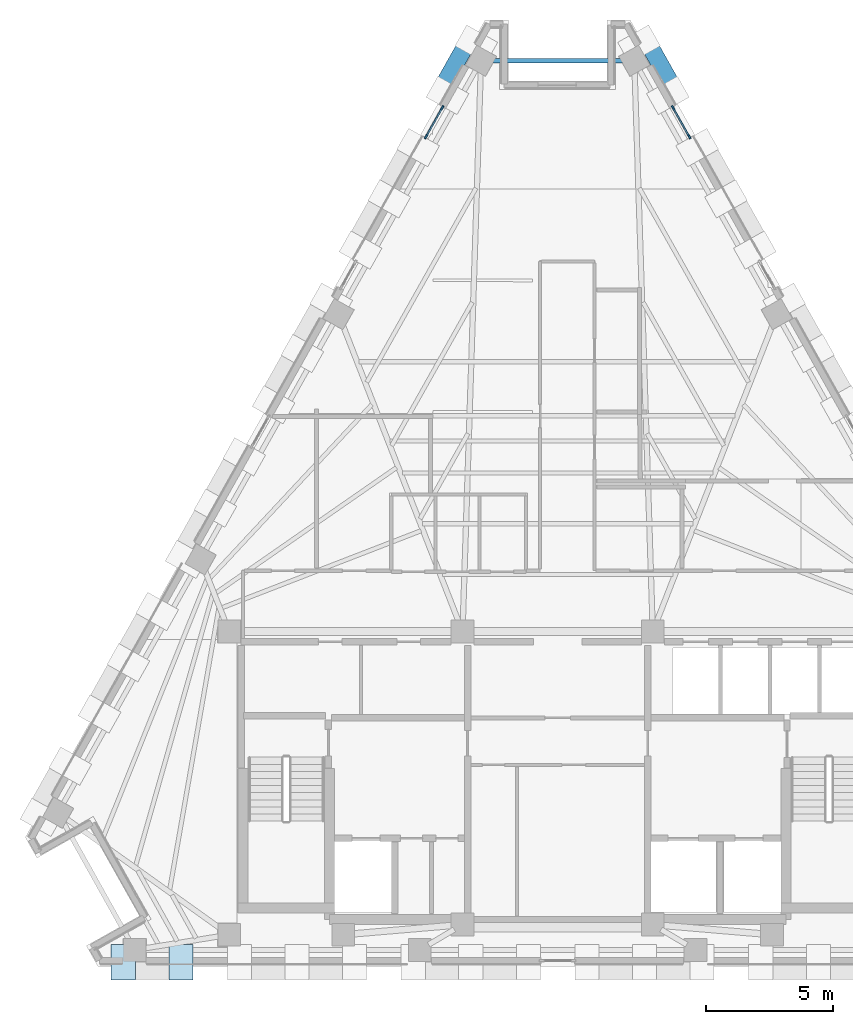
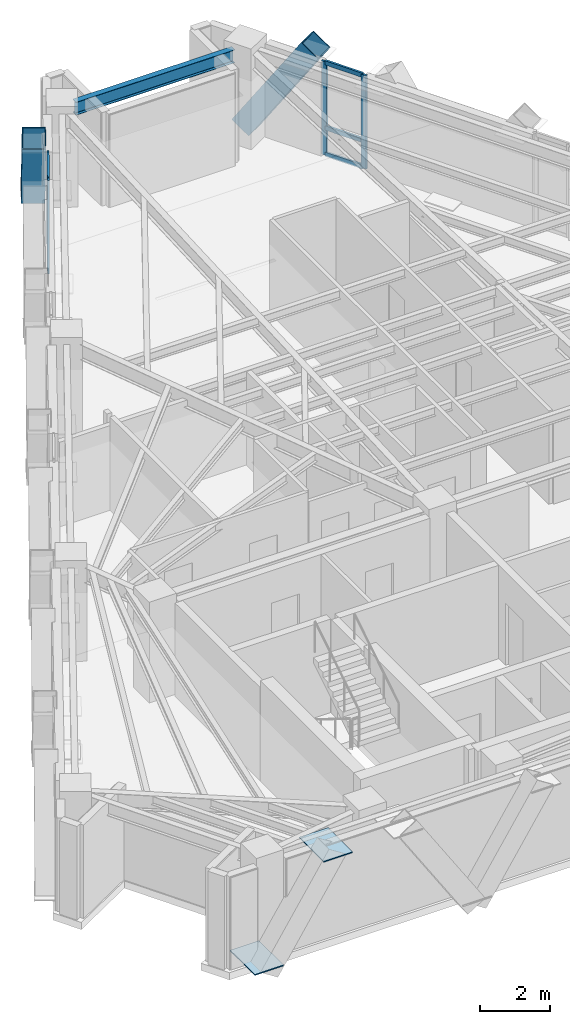
# One storey, part 5 of 12: 12 members, 2 plates, 1 beam, 2 elements without a shape of their own.
"""IFC4 building model written with IfcOpenShell, lengths in metres."""

from ifc_helpers import new_model, si_unit, direction, frame, origin, origin_2d, place, context, subcontext, project, spatial, rectangle, hollow_rectangle, i_section, extrude, material, layer, layer_set, material_profile, profile_set, type_object, element, aggregate, save


model = new_model("IFC4")

# Units and contexts
model_context = context("Model", 3, precision=1e-05, world=origin(), true_north=direction((0.0, 1.0)))
body_context = subcontext(model_context, "Body", "Model", "MODEL_VIEW")
ifc_project = project(units=[si_unit("LENGTHUNIT", "METRE"), si_unit("AREAUNIT", "SQUARE_METRE"), si_unit("VOLUMEUNIT", "CUBIC_METRE"), si_unit("PLANEANGLEUNIT", "RADIAN"), si_unit("MASSUNIT", "GRAM", prefix="KILO")], contexts=[model_context])

# Site, building, storey
site_placement = place(None, origin())
site = spatial("IfcSite", under=ifc_project, at=site_placement, CompositionType="ELEMENT")
building_placement = place(site_placement, origin())
building = spatial("IfcBuilding", under=site, at=building_placement, Name="Quenlor Broadcast Tower", CompositionType="ELEMENT")
storey_placement = place(building_placement, frame((0.0, 0.0, 221.89990234375)))
storey = spatial("IfcBuildingStorey", under=building, at=storey_placement, Name="L61", CompositionType="ELEMENT", Elevation=221.89990234375)

# Curtain wall, members
ifc_material_1 = material(Name="Architectural Terracotta and Low-E Glazing", Category="masonry")
curtain_wall_type = type_object("IfcCurtainWallType", Name="Unitised Terracotta Curtain Wall System Z4", PredefinedType="NOTDEFINED", material=ifc_material_1)
curtain_wall_1_placement = place(storey_placement, origin())
curtain_wall_1 = element("IfcCurtainWall", 1, at=curtain_wall_1_placement, inside=storey, type_object=curtain_wall_type, Name="L61 Curtain Wall CW4 (L61-NEA-G1)", PredefinedType="NOTDEFINED")
ifc_material_2 = material(Name="Aluminium 6063-T6", Category="aluminium")
ifc_material_profile_1 = material_profile(ifc_material_2, rectangle(XDim=0.068115234375, YDim=0.179931640625, at=origin_2d()))
ifc_profile_set_1 = profile_set([ifc_material_profile_1], Name="Aluminium 6063-T6 MULL68x180")
member_type_1 = type_object("IfcMemberType", Name="CW4 Aluminium Mullion MULL_CW4", PredefinedType="MULLION", material=ifc_profile_set_1)
member_1_placement = place(storey_placement, frame((4.550048828125, 15.85205078125, 0.0), z_axis=(0.0, 0.0, 1.0), x_axis=(0.871560008943, 0.490288844266, 0.0)))
member_1 = element("IfcMember", 2, at=member_1_placement, type_object=member_type_1, Name="CW4 mullion 1", PredefinedType="MULLION", context=body_context, shape_type="SweptSolid", body=[
    extrude(rectangle(XDim=0.068115234375, YDim=0.179931640625, at=origin_2d()), origin(), (0.0, 0.0, 1.0), 3.25),
])
member_2_placement = place(storey_placement, frame((5.19140625, 14.7119140625, 0.0), z_axis=(0.0, 0.0, 1.0), x_axis=(0.871560008943, 0.490288844266, 0.0)))
member_2 = element("IfcMember", 3, at=member_2_placement, type_object=member_type_1, Name="CW4 mullion 2", PredefinedType="MULLION", context=body_context, shape_type="SweptSolid", body=[
    extrude(rectangle(XDim=0.068115234375, YDim=0.179931640625, at=origin_2d()), origin(), (0.0, 0.0, 1.0), 3.25),
])

curtain_wall_2_placement = place(storey_placement, origin())
curtain_wall_2 = element("IfcCurtainWall", 4, at=curtain_wall_2_placement, inside=storey, type_object=curtain_wall_type, Name="L61 Curtain Wall CW4 (L61-NWC-G2)", PredefinedType="NOTDEFINED")
member_3_placement = place(storey_placement, frame((-5.19140625, 14.7119140625, 0.0), z_axis=(0.0, 0.0, 1.0), x_axis=(-0.871560008943, 0.490288844266, 0.0)))
member_3 = element("IfcMember", 5, at=member_3_placement, type_object=member_type_1, Name="CW4 mullion 1", PredefinedType="MULLION", context=body_context, shape_type="SweptSolid", body=[
    extrude(rectangle(XDim=0.068115234375, YDim=0.179931640625, at=origin_2d()), origin(), (0.0, 0.0, 1.0), 3.25),
])
member_4_placement = place(storey_placement, frame((-4.550048828125, 15.85205078125, 0.0), z_axis=(0.0, 0.0, 1.0), x_axis=(-0.871560008943, 0.490288844266, 0.0)))
member_4 = element("IfcMember", 6, at=member_4_placement, type_object=member_type_1, Name="CW4 mullion 2", PredefinedType="MULLION", context=body_context, shape_type="SweptSolid", body=[
    extrude(rectangle(XDim=0.068115234375, YDim=0.179931640625, at=origin_2d()), origin(), (0.0, 0.0, 1.0), 3.25),
])

# Member
ifc_material_3 = material(Name="Aluminium 6063-T6", Category="aluminium")
ifc_material_profile_2 = material_profile(ifc_material_3, rectangle(XDim=0.068115234375, YDim=0.14990234375, at=origin_2d()))
ifc_profile_set_2 = profile_set([ifc_material_profile_2], Name="Aluminium 6063-T6 TRAN68x150")
member_type_2 = type_object("IfcMemberType", Name="CW4 Aluminium Transom TRAN_CW4", PredefinedType="USERDEFINED", material=ifc_profile_set_2)
member_5_placement = place(storey_placement, frame((4.566650390625, 15.822265625, 0.0341796875), z_axis=(0.490317332982, -0.871543982239, 0.0), x_axis=(0.871543982239, 0.490317332982, 0.0)))
member_5 = element("IfcMember", 7, at=member_5_placement, type_object=member_type_2, Name="CW4 transom 1.1", ObjectType="TRANSOM", PredefinedType="USERDEFINED", context=body_context, shape_type="SweptSolid", body=[
    extrude(rectangle(XDim=0.068115234375, YDim=0.14990234375, at=origin_2d()), origin(), (0.0, 0.0, 1.0), 1.23974609375),
])

member_6_placement = place(storey_placement, frame((4.566650390625, 15.822265625, 0.9501953125), z_axis=(0.490317332982, -0.871543982239, 0.0), x_axis=(0.871543982239, 0.490317332982, 0.0)))
member_6 = element("IfcMember", 8, at=member_6_placement, type_object=member_type_2, Name="CW4 transom 1.2", ObjectType="TRANSOM", PredefinedType="USERDEFINED", context=body_context, shape_type="SweptSolid", body=[
    extrude(rectangle(XDim=0.068115234375, YDim=0.14990234375, at=origin_2d()), origin(), (0.0, 0.0, 1.0), 1.23974609375),
])

member_7_placement = place(storey_placement, frame((4.566650390625, 15.822265625, 3.216064453125), z_axis=(0.490317332982, -0.871543982239, 0.0), x_axis=(0.871543982239, 0.490317332982, 0.0)))
member_7 = element("IfcMember", 9, at=member_7_placement, type_object=member_type_2, Name="CW4 transom 1.3", ObjectType="TRANSOM", PredefinedType="USERDEFINED", context=body_context, shape_type="SweptSolid", body=[
    extrude(rectangle(XDim=0.068115234375, YDim=0.14990234375, at=origin_2d()), origin(), (0.0, 0.0, 1.0), 1.23974609375),
])

aggregate(curtain_wall_1, [member_1, member_2, member_5, member_6, member_7])

member_8_placement = place(storey_placement, frame((-5.174560546875, 14.74169921875, 0.0341796875), z_axis=(0.490317332982, 0.871543982239, 0.0), x_axis=(-0.871543982239, 0.490317332982, 0.0)))
member_8 = element("IfcMember", 10, at=member_8_placement, type_object=member_type_2, Name="CW4 transom 1.1", ObjectType="TRANSOM", PredefinedType="USERDEFINED", context=body_context, shape_type="SweptSolid", body=[
    extrude(rectangle(XDim=0.068115234375, YDim=0.14990234375, at=origin_2d()), origin(), (0.0, 0.0, 1.0), 1.23974609375),
])

member_9_placement = place(storey_placement, frame((-5.174560546875, 14.74169921875, 0.9501953125), z_axis=(0.490317332982, 0.871543982239, 0.0), x_axis=(-0.871543982239, 0.490317332982, 0.0)))
member_9 = element("IfcMember", 11, at=member_9_placement, type_object=member_type_2, Name="CW4 transom 1.2", ObjectType="TRANSOM", PredefinedType="USERDEFINED", context=body_context, shape_type="SweptSolid", body=[
    extrude(rectangle(XDim=0.068115234375, YDim=0.14990234375, at=origin_2d()), origin(), (0.0, 0.0, 1.0), 1.23974609375),
])

member_10_placement = place(storey_placement, frame((-5.174560546875, 14.74169921875, 3.216064453125), z_axis=(0.490317332982, 0.871543982239, 0.0), x_axis=(-0.871543982239, 0.490317332982, 0.0)))
member_10 = element("IfcMember", 12, at=member_10_placement, type_object=member_type_2, Name="CW4 transom 1.3", ObjectType="TRANSOM", PredefinedType="USERDEFINED", context=body_context, shape_type="SweptSolid", body=[
    extrude(rectangle(XDim=0.068115234375, YDim=0.14990234375, at=origin_2d()), origin(), (0.0, 0.0, 1.0), 1.23974609375),
])

aggregate(curtain_wall_2, [member_3, member_4, member_8, member_9, member_10])

# Members
ifc_material_4 = material(Name="Steel S355", Category="steel")
ifc_material_profile_3 = material_profile(ifc_material_4, hollow_rectangle(XDim=0.679931640625, YDim=0.679931640625, WallThickness=0.02490234375, at=origin_2d()))
ifc_profile_set_3 = profile_set([ifc_material_profile_3], Name="Steel S355 RHS680x680x25")
member_type_3 = type_object("IfcMemberType", Name="Perimeter Diagonal Lattice Brace Z3-Z4 Steel S355 RHS680x25", PredefinedType="BRACE", material=ifc_profile_set_3)
for number, where, z_axis, x_axis, name in (
    (13, (3.50732421875, 18.51171875, -0.119873046875), (0.269539530269, -0.479181387144, 0.835304519224), (0.871575537125, 0.490261239633, 0.0), "L61 Perimeter Diamond Lattice NE-C1S"),
    (14, (-3.50732421875, 18.51171875, -0.119873046875), (-0.269539530269, -0.479181387144, 0.835304519224), (0.871575537125, -0.490261239633, 0.0), "L61 Perimeter Diamond Lattice NW-C5B"),
):
    element("IfcMember", number, at=place(storey_placement, frame(where, z_axis=z_axis, x_axis=x_axis)), inside=storey, type_object=member_type_3, Name=name, PredefinedType="BRACE", context=body_context, shape_type="SweptSolid", body=[
        extrude(hollow_rectangle(XDim=0.679931640625, YDim=0.679931640625, WallThickness=0.02490234375, at=origin_2d()), origin(), (0.0, 0.0, 1.0), 4.190185546875),
    ])

# Beam
ifc_material_5 = material(Name="Steel S355", Category="steel")
ifc_material_profile_4 = material_profile(ifc_material_5, i_section(OverallWidth=0.18994140625, OverallDepth=0.453857421875, WebThickness=0.008544921875, FlangeThickness=0.0126953125, FilletRadius=0.011474609375, at=origin_2d()))
ifc_profile_set_4 = profile_set([ifc_material_profile_4], Name="Steel S355 460UB67.1")
beam_type = type_object("IfcBeamType", Name="Perimeter Spandrel Beam Z4 Steel S355 460UB67.1", PredefinedType="SPANDREL", material=ifc_profile_set_4)
beam_placement = place(storey_placement, frame((2.610595703125, 17.704345703125, 3.023193359375), z_axis=(-1.0, 0.0, 0.0), x_axis=(0.0, -1.0, 0.0)))
element("IfcBeam", 15, at=beam_placement, inside=storey, type_object=beam_type, Name="L61 Spandrel Beam NE4-NW1", PredefinedType="SPANDREL", context=body_context, shape_type="SweptSolid", body=[
    extrude(i_section(OverallWidth=0.18994140625, OverallDepth=0.453857421875, WebThickness=0.008544921875, FlangeThickness=0.0126953125, FilletRadius=0.011474609375, at=origin_2d()), origin(), (0.0, 0.0, 1.0), 5.22119140625),
])

# Plates
ifc_material_6 = material(Name="Steel S355", Category="steel")
ifc_layer = layer(ifc_material_6, 0.035888671875)
ifc_layer_set = layer_set([ifc_layer], Name="Transfer Truss Steel S355 Gusset Node Plate 1400x950x36")
plate_type = type_object("IfcPlateType", Name="Transfer Truss Steel S355 Gusset Node Plate 1400x950x36", PredefinedType="SHEET", material=ifc_layer_set)
for number, where, z_axis, x_axis, name in (
    (16, (-17.1259765625, -17.8349609375, 0.0419921875), (0.0, 0.0, 1.0), (0.0, -1.0, 0.0), "L61 Lattice Tie Gusset Node S-B15"),
    (17, (-14.856201171875, -17.8349609375, 3.18212890625), (0.0, 0.0, 1.0), (0.0, -1.0, 0.0), "L61 Lattice Tie Gusset Node S-T14"),
):
    element("IfcPlate", number, at=place(storey_placement, frame(where, z_axis=z_axis, x_axis=x_axis)), inside=storey, type_object=plate_type, Name=name, PredefinedType="SHEET", context=body_context, shape_type="SweptSolid", body=[
        extrude(rectangle(XDim=1.39990234375, YDim=0.949951171875, at=origin_2d()), origin(), (0.0, 0.0, 1.0), 0.035888671875),
    ])

save(model, "model.ifc")
